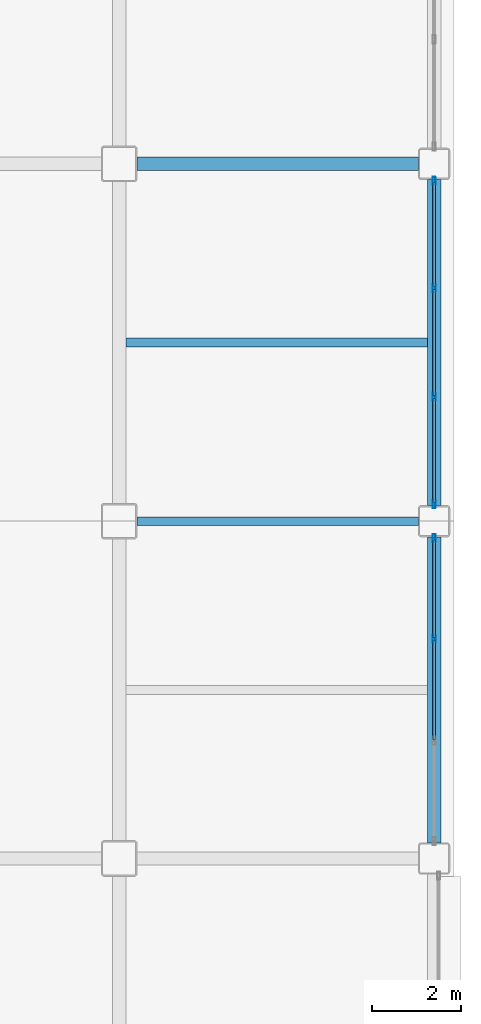
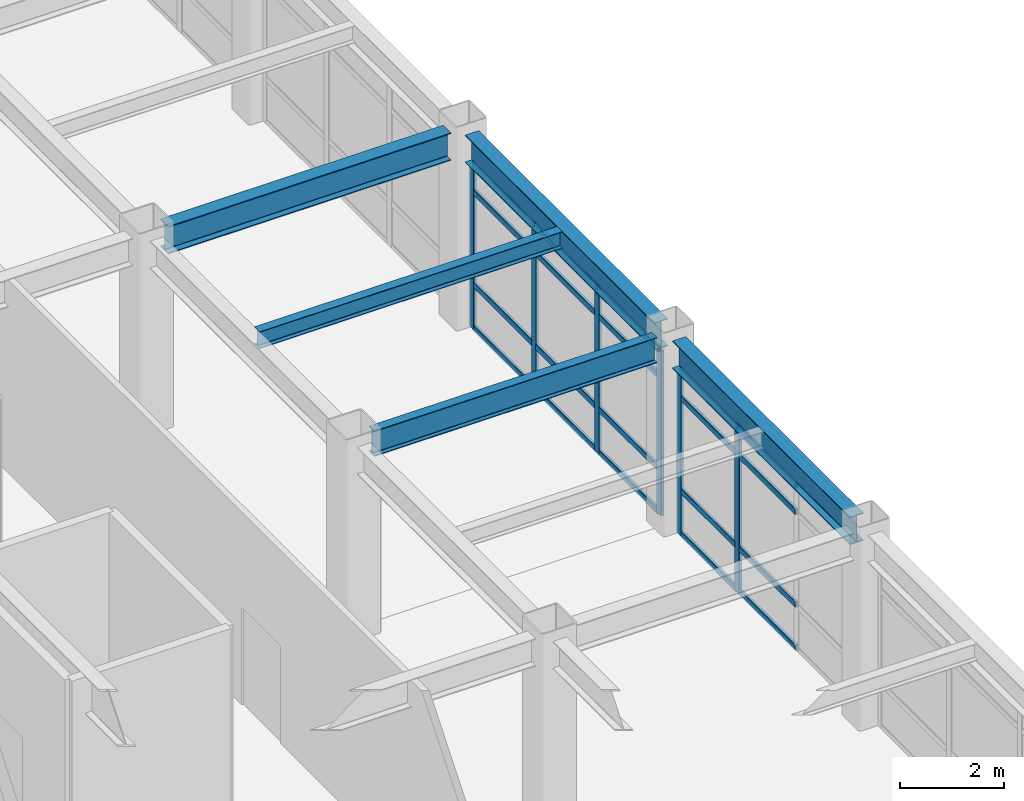
# One storey, part 96 of 154: 26 members, 5 beams, 2 elements without a shape of their own.
"""IFC4 building model written with IfcOpenShell, lengths in metres."""

from ifc_helpers import new_model, si_unit, direction, frame, origin, origin_2d, place, context, subcontext, project, spatial, hollow_rectangle, i_section, extrude, material, layer, layer_set, material_profile, profile_set, type_object, element, aggregate, save


model = new_model("IFC4")

# Units and contexts
model_context = context("Model", 3, precision=1e-05, world=origin(), true_north=direction((0.0, 1.0)))
body_context = subcontext(model_context, "Body", "Model", "MODEL_VIEW")
ifc_project = project(units=[si_unit("LENGTHUNIT", "METRE"), si_unit("AREAUNIT", "SQUARE_METRE"), si_unit("VOLUMEUNIT", "CUBIC_METRE"), si_unit("PLANEANGLEUNIT", "RADIAN"), si_unit("MASSUNIT", "GRAM", prefix="KILO")], contexts=[model_context])

# Site, building, storey
site_placement = place(None, origin())
site = spatial("IfcSite", under=ifc_project, at=site_placement, CompositionType="ELEMENT")
building_placement = place(site_placement, origin())
building = spatial("IfcBuilding", under=site, at=building_placement, Name="Kazehara Bluff Congress Hotel", CompositionType="ELEMENT")
storey_placement = place(building_placement, frame((0.0, 0.0, 10.199951171875)))
storey = spatial("IfcBuildingStorey", under=building, at=storey_placement, Name="L02", CompositionType="ELEMENT", Elevation=10.199951171875)

# Curtain wall, members
ifc_material_1 = material(Name="Anodised aluminium", Category="aluminium")
ifc_layer_1 = layer(ifc_material_1, 0.159912109375)
ifc_layer_set_1 = layer_set([ifc_layer_1], Name="Anodised aluminium")
curtain_wall_type_1 = type_object("IfcCurtainWallType", Name="TP-CW-83", PredefinedType="NOTDEFINED", material=ifc_layer_set_1)
curtain_wall_1_placement = place(storey_placement, origin())
curtain_wall_1 = element("IfcCurtainWall", 1, at=curtain_wall_1_placement, inside=storey, type_object=curtain_wall_type_1, Name="L02 curtain wall CW-83 CW-V5-L02-X16755-4125", PredefinedType="NOTDEFINED")
ifc_material_2 = material(Name="Anodised aluminium", Category="aluminium")
ifc_material_profile_1 = material_profile(ifc_material_2, hollow_rectangle(XDim=0.06494140625, YDim=0.179931640625, WallThickness=0.00390625, InnerFilletRadius=0.00390625, OuterFilletRadius=0.008056640625, at=origin_2d()))
ifc_profile_set_1 = profile_set([ifc_material_profile_1], Name="Anodised aluminium")
member_type_1 = type_object("IfcMemberType", Name="TP-CWM-02", PredefinedType="MULLION", material=ifc_profile_set_1)
member_1_placement = place(storey_placement, frame((167.550048828125, 45.816650390625, 0.0), z_axis=(0.0, 0.0, 1.0), x_axis=(-1.0, 0.0, 0.0)))
member_1 = element("IfcMember", 2, at=member_1_placement, type_object=member_type_1, Name="CW-83 mullion 3", PredefinedType="MULLION", context=body_context, shape_type="SweptSolid", body=[
    extrude(hollow_rectangle(XDim=0.06494140625, YDim=0.179931640625, WallThickness=0.00390625, InnerFilletRadius=0.00390625, OuterFilletRadius=0.008056640625, at=origin_2d()), origin(), (0.0, 0.0, 1.0), 3.885009765625),
])
member_2_placement = place(storey_placement, frame((167.550048828125, 48.0673828125, 0.0), z_axis=(0.0, 0.0, 1.0), x_axis=(-1.0, 0.0, 0.0)))
member_2 = element("IfcMember", 3, at=member_2_placement, type_object=member_type_1, Name="CW-83 mullion 4", PredefinedType="MULLION", context=body_context, shape_type="SweptSolid", body=[
    extrude(hollow_rectangle(XDim=0.06494140625, YDim=0.179931640625, WallThickness=0.00390625, InnerFilletRadius=0.00390625, OuterFilletRadius=0.008056640625, at=origin_2d()), origin(), (0.0, 0.0, 1.0), 3.885009765625),
])

ifc_material_3 = material(Name="Anodised aluminium", Category="aluminium")
ifc_layer_2 = layer(ifc_material_3, 0.159912109375)
ifc_layer_set_2 = layer_set([ifc_layer_2], Name="Anodised aluminium")
curtain_wall_type_2 = type_object("IfcCurtainWallType", Name="TP-CW-80", PredefinedType="NOTDEFINED", material=ifc_layer_set_2)
curtain_wall_2_placement = place(storey_placement, origin())
curtain_wall_2 = element("IfcCurtainWall", 4, at=curtain_wall_2_placement, inside=storey, type_object=curtain_wall_type_2, Name="L02 curtain wall CW-80 CW-V5-L02-X16755-4880", PredefinedType="NOTDEFINED")
member_3_placement = place(storey_placement, frame((167.550048828125, 48.83251953125, 0.0), z_axis=(0.0, 0.0, 1.0), x_axis=(-1.0, 0.0, 0.0)))
member_3 = element("IfcMember", 5, at=member_3_placement, type_object=member_type_1, Name="CW-80 mullion 1", PredefinedType="MULLION", context=body_context, shape_type="SweptSolid", body=[
    extrude(hollow_rectangle(XDim=0.06494140625, YDim=0.179931640625, WallThickness=0.00390625, InnerFilletRadius=0.00390625, OuterFilletRadius=0.008056640625, at=origin_2d()), origin(), (0.0, 0.0, 1.0), 3.885009765625),
])
member_4_placement = place(storey_placement, frame((167.550048828125, 51.2333984375, 0.0), z_axis=(0.0, 0.0, 1.0), x_axis=(-1.0, 0.0, 0.0)))
member_4 = element("IfcMember", 6, at=member_4_placement, type_object=member_type_1, Name="CW-80 mullion 2", PredefinedType="MULLION", context=body_context, shape_type="SweptSolid", body=[
    extrude(hollow_rectangle(XDim=0.06494140625, YDim=0.179931640625, WallThickness=0.00390625, InnerFilletRadius=0.00390625, OuterFilletRadius=0.008056640625, at=origin_2d()), origin(), (0.0, 0.0, 1.0), 3.885009765625),
])
member_5_placement = place(storey_placement, frame((167.550048828125, 53.666748046875, 0.0), z_axis=(0.0, 0.0, 1.0), x_axis=(-1.0, 0.0, 0.0)))
member_5 = element("IfcMember", 7, at=member_5_placement, type_object=member_type_1, Name="CW-80 mullion 3", PredefinedType="MULLION", context=body_context, shape_type="SweptSolid", body=[
    extrude(hollow_rectangle(XDim=0.06494140625, YDim=0.179931640625, WallThickness=0.00390625, InnerFilletRadius=0.00390625, OuterFilletRadius=0.008056640625, at=origin_2d()), origin(), (0.0, 0.0, 1.0), 3.885009765625),
])
member_6_placement = place(storey_placement, frame((167.550048828125, 56.0673828125, 0.0), z_axis=(0.0, 0.0, 1.0), x_axis=(-1.0, 0.0, 0.0)))
member_6 = element("IfcMember", 8, at=member_6_placement, type_object=member_type_1, Name="CW-80 mullion 4", PredefinedType="MULLION", context=body_context, shape_type="SweptSolid", body=[
    extrude(hollow_rectangle(XDim=0.06494140625, YDim=0.179931640625, WallThickness=0.00390625, InnerFilletRadius=0.00390625, OuterFilletRadius=0.008056640625, at=origin_2d()), origin(), (0.0, 0.0, 1.0), 3.885009765625),
])

# Member
ifc_material_4 = material(Name="Anodised aluminium", Category="aluminium")
ifc_material_profile_2 = material_profile(ifc_material_4, hollow_rectangle(XDim=0.06494140625, YDim=0.139892578125, WallThickness=0.00390625, InnerFilletRadius=0.00390625, OuterFilletRadius=0.008056640625, at=origin_2d()))
ifc_profile_set_2 = profile_set([ifc_material_profile_2], Name="Anodised aluminium")
member_type_2 = type_object("IfcMemberType", Name="TP-CWT-02", PredefinedType="USERDEFINED", material=ifc_profile_set_2)
member_7_placement = place(storey_placement, frame((167.550048828125, 43.56591796875, 0.032470703125), z_axis=(0.0, 1.0, 0.0), x_axis=(-1.0, 0.0, 0.0)))
member_7 = element("IfcMember", 9, at=member_7_placement, type_object=member_type_2, Name="CW-83 transom 2.1", ObjectType="TRANSOM", PredefinedType="USERDEFINED", context=body_context, shape_type="SweptSolid", body=[
    extrude(hollow_rectangle(XDim=0.06494140625, YDim=0.139892578125, WallThickness=0.00390625, InnerFilletRadius=0.00390625, OuterFilletRadius=0.008056640625, at=origin_2d()), origin(), (0.0, 0.0, 1.0), 2.21826171875),
])

member_8_placement = place(storey_placement, frame((167.550048828125, 43.56591796875, 1.050048828125), z_axis=(0.0, 1.0, 0.0), x_axis=(-1.0, 0.0, 0.0)))
member_8 = element("IfcMember", 10, at=member_8_placement, type_object=member_type_2, Name="CW-83 transom 2.2", ObjectType="TRANSOM", PredefinedType="USERDEFINED", context=body_context, shape_type="SweptSolid", body=[
    extrude(hollow_rectangle(XDim=0.06494140625, YDim=0.139892578125, WallThickness=0.00390625, InnerFilletRadius=0.00390625, OuterFilletRadius=0.008056640625, at=origin_2d()), origin(), (0.0, 0.0, 1.0), 2.21826171875),
])

member_9_placement = place(storey_placement, frame((167.550048828125, 43.56591796875, 3.235107421875), z_axis=(0.0, 1.0, 0.0), x_axis=(-1.0, 0.0, 0.0)))
member_9 = element("IfcMember", 11, at=member_9_placement, type_object=member_type_2, Name="CW-83 transom 2.3", ObjectType="TRANSOM", PredefinedType="USERDEFINED", context=body_context, shape_type="SweptSolid", body=[
    extrude(hollow_rectangle(XDim=0.06494140625, YDim=0.139892578125, WallThickness=0.00390625, InnerFilletRadius=0.00390625, OuterFilletRadius=0.008056640625, at=origin_2d()), origin(), (0.0, 0.0, 1.0), 2.21826171875),
])

member_10_placement = place(storey_placement, frame((167.550048828125, 43.56591796875, 3.8525390625), z_axis=(0.0, 1.0, 0.0), x_axis=(-1.0, 0.0, 0.0)))
member_10 = element("IfcMember", 12, at=member_10_placement, type_object=member_type_2, Name="CW-83 transom 2.4", ObjectType="TRANSOM", PredefinedType="USERDEFINED", context=body_context, shape_type="SweptSolid", body=[
    extrude(hollow_rectangle(XDim=0.06494140625, YDim=0.139892578125, WallThickness=0.00390625, InnerFilletRadius=0.00390625, OuterFilletRadius=0.008056640625, at=origin_2d()), origin(), (0.0, 0.0, 1.0), 2.21826171875),
])

member_11_placement = place(storey_placement, frame((167.550048828125, 45.84912109375, 0.032470703125), z_axis=(0.0, 1.0, 0.0), x_axis=(-1.0, 0.0, 0.0)))
member_11 = element("IfcMember", 13, at=member_11_placement, type_object=member_type_2, Name="CW-83 transom 3.1", ObjectType="TRANSOM", PredefinedType="USERDEFINED", context=body_context, shape_type="SweptSolid", body=[
    extrude(hollow_rectangle(XDim=0.06494140625, YDim=0.139892578125, WallThickness=0.00390625, InnerFilletRadius=0.00390625, OuterFilletRadius=0.008056640625, at=origin_2d()), origin(), (0.0, 0.0, 1.0), 2.185791015625),
])

member_12_placement = place(storey_placement, frame((167.550048828125, 45.84912109375, 1.050048828125), z_axis=(0.0, 1.0, 0.0), x_axis=(-1.0, 0.0, 0.0)))
member_12 = element("IfcMember", 14, at=member_12_placement, type_object=member_type_2, Name="CW-83 transom 3.2", ObjectType="TRANSOM", PredefinedType="USERDEFINED", context=body_context, shape_type="SweptSolid", body=[
    extrude(hollow_rectangle(XDim=0.06494140625, YDim=0.139892578125, WallThickness=0.00390625, InnerFilletRadius=0.00390625, OuterFilletRadius=0.008056640625, at=origin_2d()), origin(), (0.0, 0.0, 1.0), 2.185791015625),
])

member_13_placement = place(storey_placement, frame((167.550048828125, 45.84912109375, 3.235107421875), z_axis=(0.0, 1.0, 0.0), x_axis=(-1.0, 0.0, 0.0)))
member_13 = element("IfcMember", 15, at=member_13_placement, type_object=member_type_2, Name="CW-83 transom 3.3", ObjectType="TRANSOM", PredefinedType="USERDEFINED", context=body_context, shape_type="SweptSolid", body=[
    extrude(hollow_rectangle(XDim=0.06494140625, YDim=0.139892578125, WallThickness=0.00390625, InnerFilletRadius=0.00390625, OuterFilletRadius=0.008056640625, at=origin_2d()), origin(), (0.0, 0.0, 1.0), 2.185791015625),
])

member_14_placement = place(storey_placement, frame((167.550048828125, 45.84912109375, 3.8525390625), z_axis=(0.0, 1.0, 0.0), x_axis=(-1.0, 0.0, 0.0)))
member_14 = element("IfcMember", 16, at=member_14_placement, type_object=member_type_2, Name="CW-83 transom 3.4", ObjectType="TRANSOM", PredefinedType="USERDEFINED", context=body_context, shape_type="SweptSolid", body=[
    extrude(hollow_rectangle(XDim=0.06494140625, YDim=0.139892578125, WallThickness=0.00390625, InnerFilletRadius=0.00390625, OuterFilletRadius=0.008056640625, at=origin_2d()), origin(), (0.0, 0.0, 1.0), 2.185791015625),
])

aggregate(curtain_wall_1, [member_1, member_2, member_7, member_8, member_9, member_10, member_11, member_12, member_13, member_14])

member_15_placement = place(storey_placement, frame((167.550048828125, 48.864990234375, 0.032470703125), z_axis=(0.0, 1.0, 0.0), x_axis=(-1.0, 0.0, 0.0)))
member_15 = element("IfcMember", 17, at=member_15_placement, type_object=member_type_2, Name="CW-80 transom 1.1", ObjectType="TRANSOM", PredefinedType="USERDEFINED", context=body_context, shape_type="SweptSolid", body=[
    extrude(hollow_rectangle(XDim=0.06494140625, YDim=0.139892578125, WallThickness=0.00390625, InnerFilletRadius=0.00390625, OuterFilletRadius=0.008056640625, at=origin_2d()), origin(), (0.0, 0.0, 1.0), 2.3359375),
])

member_16_placement = place(storey_placement, frame((167.550048828125, 48.864990234375, 1.050048828125), z_axis=(0.0, 1.0, 0.0), x_axis=(-1.0, 0.0, 0.0)))
member_16 = element("IfcMember", 18, at=member_16_placement, type_object=member_type_2, Name="CW-80 transom 1.2", ObjectType="TRANSOM", PredefinedType="USERDEFINED", context=body_context, shape_type="SweptSolid", body=[
    extrude(hollow_rectangle(XDim=0.06494140625, YDim=0.139892578125, WallThickness=0.00390625, InnerFilletRadius=0.00390625, OuterFilletRadius=0.008056640625, at=origin_2d()), origin(), (0.0, 0.0, 1.0), 2.3359375),
])

member_17_placement = place(storey_placement, frame((167.550048828125, 48.864990234375, 3.235107421875), z_axis=(0.0, 1.0, 0.0), x_axis=(-1.0, 0.0, 0.0)))
member_17 = element("IfcMember", 19, at=member_17_placement, type_object=member_type_2, Name="CW-80 transom 1.3", ObjectType="TRANSOM", PredefinedType="USERDEFINED", context=body_context, shape_type="SweptSolid", body=[
    extrude(hollow_rectangle(XDim=0.06494140625, YDim=0.139892578125, WallThickness=0.00390625, InnerFilletRadius=0.00390625, OuterFilletRadius=0.008056640625, at=origin_2d()), origin(), (0.0, 0.0, 1.0), 2.3359375),
])

member_18_placement = place(storey_placement, frame((167.550048828125, 48.864990234375, 3.8525390625), z_axis=(0.0, 1.0, 0.0), x_axis=(-1.0, 0.0, 0.0)))
member_18 = element("IfcMember", 20, at=member_18_placement, type_object=member_type_2, Name="CW-80 transom 1.4", ObjectType="TRANSOM", PredefinedType="USERDEFINED", context=body_context, shape_type="SweptSolid", body=[
    extrude(hollow_rectangle(XDim=0.06494140625, YDim=0.139892578125, WallThickness=0.00390625, InnerFilletRadius=0.00390625, OuterFilletRadius=0.008056640625, at=origin_2d()), origin(), (0.0, 0.0, 1.0), 2.3359375),
])

member_19_placement = place(storey_placement, frame((167.550048828125, 51.265869140625, 0.032470703125), z_axis=(0.0, 1.0, 0.0), x_axis=(-1.0, 0.0, 0.0)))
member_19 = element("IfcMember", 21, at=member_19_placement, type_object=member_type_2, Name="CW-80 transom 2.1", ObjectType="TRANSOM", PredefinedType="USERDEFINED", context=body_context, shape_type="SweptSolid", body=[
    extrude(hollow_rectangle(XDim=0.06494140625, YDim=0.139892578125, WallThickness=0.00390625, InnerFilletRadius=0.00390625, OuterFilletRadius=0.008056640625, at=origin_2d()), origin(), (0.0, 0.0, 1.0), 2.368408203125),
])

member_20_placement = place(storey_placement, frame((167.550048828125, 51.265869140625, 1.050048828125), z_axis=(0.0, 1.0, 0.0), x_axis=(-1.0, 0.0, 0.0)))
member_20 = element("IfcMember", 22, at=member_20_placement, type_object=member_type_2, Name="CW-80 transom 2.2", ObjectType="TRANSOM", PredefinedType="USERDEFINED", context=body_context, shape_type="SweptSolid", body=[
    extrude(hollow_rectangle(XDim=0.06494140625, YDim=0.139892578125, WallThickness=0.00390625, InnerFilletRadius=0.00390625, OuterFilletRadius=0.008056640625, at=origin_2d()), origin(), (0.0, 0.0, 1.0), 2.368408203125),
])

member_21_placement = place(storey_placement, frame((167.550048828125, 51.265869140625, 3.235107421875), z_axis=(0.0, 1.0, 0.0), x_axis=(-1.0, 0.0, 0.0)))
member_21 = element("IfcMember", 23, at=member_21_placement, type_object=member_type_2, Name="CW-80 transom 2.3", ObjectType="TRANSOM", PredefinedType="USERDEFINED", context=body_context, shape_type="SweptSolid", body=[
    extrude(hollow_rectangle(XDim=0.06494140625, YDim=0.139892578125, WallThickness=0.00390625, InnerFilletRadius=0.00390625, OuterFilletRadius=0.008056640625, at=origin_2d()), origin(), (0.0, 0.0, 1.0), 2.368408203125),
])

member_22_placement = place(storey_placement, frame((167.550048828125, 51.265869140625, 3.8525390625), z_axis=(0.0, 1.0, 0.0), x_axis=(-1.0, 0.0, 0.0)))
member_22 = element("IfcMember", 24, at=member_22_placement, type_object=member_type_2, Name="CW-80 transom 2.4", ObjectType="TRANSOM", PredefinedType="USERDEFINED", context=body_context, shape_type="SweptSolid", body=[
    extrude(hollow_rectangle(XDim=0.06494140625, YDim=0.139892578125, WallThickness=0.00390625, InnerFilletRadius=0.00390625, OuterFilletRadius=0.008056640625, at=origin_2d()), origin(), (0.0, 0.0, 1.0), 2.368408203125),
])

member_23_placement = place(storey_placement, frame((167.550048828125, 53.69921875, 0.032470703125), z_axis=(0.0, 1.0, 0.0), x_axis=(-1.0, 0.0, 0.0)))
member_23 = element("IfcMember", 25, at=member_23_placement, type_object=member_type_2, Name="CW-80 transom 3.1", ObjectType="TRANSOM", PredefinedType="USERDEFINED", context=body_context, shape_type="SweptSolid", body=[
    extrude(hollow_rectangle(XDim=0.06494140625, YDim=0.139892578125, WallThickness=0.00390625, InnerFilletRadius=0.00390625, OuterFilletRadius=0.008056640625, at=origin_2d()), origin(), (0.0, 0.0, 1.0), 2.335693359375),
])

member_24_placement = place(storey_placement, frame((167.550048828125, 53.69921875, 1.050048828125), z_axis=(0.0, 1.0, 0.0), x_axis=(-1.0, 0.0, 0.0)))
member_24 = element("IfcMember", 26, at=member_24_placement, type_object=member_type_2, Name="CW-80 transom 3.2", ObjectType="TRANSOM", PredefinedType="USERDEFINED", context=body_context, shape_type="SweptSolid", body=[
    extrude(hollow_rectangle(XDim=0.06494140625, YDim=0.139892578125, WallThickness=0.00390625, InnerFilletRadius=0.00390625, OuterFilletRadius=0.008056640625, at=origin_2d()), origin(), (0.0, 0.0, 1.0), 2.335693359375),
])

member_25_placement = place(storey_placement, frame((167.550048828125, 53.69921875, 3.235107421875), z_axis=(0.0, 1.0, 0.0), x_axis=(-1.0, 0.0, 0.0)))
member_25 = element("IfcMember", 27, at=member_25_placement, type_object=member_type_2, Name="CW-80 transom 3.3", ObjectType="TRANSOM", PredefinedType="USERDEFINED", context=body_context, shape_type="SweptSolid", body=[
    extrude(hollow_rectangle(XDim=0.06494140625, YDim=0.139892578125, WallThickness=0.00390625, InnerFilletRadius=0.00390625, OuterFilletRadius=0.008056640625, at=origin_2d()), origin(), (0.0, 0.0, 1.0), 2.335693359375),
])

member_26_placement = place(storey_placement, frame((167.550048828125, 53.69921875, 3.8525390625), z_axis=(0.0, 1.0, 0.0), x_axis=(-1.0, 0.0, 0.0)))
member_26 = element("IfcMember", 28, at=member_26_placement, type_object=member_type_2, Name="CW-80 transom 3.4", ObjectType="TRANSOM", PredefinedType="USERDEFINED", context=body_context, shape_type="SweptSolid", body=[
    extrude(hollow_rectangle(XDim=0.06494140625, YDim=0.139892578125, WallThickness=0.00390625, InnerFilletRadius=0.00390625, OuterFilletRadius=0.008056640625, at=origin_2d()), origin(), (0.0, 0.0, 1.0), 2.335693359375),
])

aggregate(curtain_wall_2, [member_3, member_4, member_5, member_6, member_15, member_16, member_17, member_18, member_19, member_20, member_21, member_22, member_23, member_24, member_25, member_26])

# Beams
ifc_material_5 = material(Name="Steel SN490B", Category="steel")
ifc_material_profile_3 = material_profile(ifc_material_5, i_section(OverallWidth=0.300048828125, OverallDepth=0.64990234375, WebThickness=0.011962890625, FlangeThickness=0.02001953125, FilletRadius=0.012939453125, at=origin_2d()))
ifc_profile_set_3 = profile_set([ifc_material_profile_3], Name="Steel SN490B")
beam_type_1 = type_object("IfcBeamType", Name="TP-G-03", PredefinedType="BEAM", material=ifc_profile_set_3)
beam_1_placement = place(storey_placement, frame((167.550048828125, 41.25, 4.235107421875), z_axis=(0.0, 1.0, 0.0), x_axis=(-1.0, 0.0, 0.0)))
element("IfcBeam", 29, at=beam_1_placement, inside=storey, type_object=beam_type_1, Name="L02 girder G-03 173", PredefinedType="BEAM", context=body_context, shape_type="SweptSolid", body=[
    extrude(i_section(OverallWidth=0.300048828125, OverallDepth=0.64990234375, WebThickness=0.011962890625, FlangeThickness=0.02001953125, FilletRadius=0.012939453125, at=origin_2d()), origin(), (0.0, 0.0, 1.0), 6.85009765625),
])
beam_2_placement = place(storey_placement, frame((167.550048828125, 48.800048828125, 4.235107421875), z_axis=(0.0, 1.0, 0.0), x_axis=(-1.0, 0.0, 0.0)))
element("IfcBeam", 30, at=beam_2_placement, inside=storey, type_object=beam_type_1, Name="L02 girder G-03 174", PredefinedType="BEAM", context=body_context, shape_type="SweptSolid", body=[
    extrude(i_section(OverallWidth=0.300048828125, OverallDepth=0.64990234375, WebThickness=0.011962890625, FlangeThickness=0.02001953125, FilletRadius=0.012939453125, at=origin_2d()), origin(), (0.0, 0.0, 1.0), 7.300048828125),
])
beam_3_placement = place(storey_placement, frame((160.89990234375, 56.449951171875, 4.235107421875), z_axis=(1.0, 0.0, 0.0), x_axis=(0.0, 1.0, 0.0)))
element("IfcBeam", 31, at=beam_3_placement, inside=storey, type_object=beam_type_1, Name="L02 girder G-03 211", PredefinedType="BEAM", context=body_context, shape_type="SweptSolid", body=[
    extrude(i_section(OverallWidth=0.300048828125, OverallDepth=0.64990234375, WebThickness=0.011962890625, FlangeThickness=0.02001953125, FilletRadius=0.012939453125, at=origin_2d()), origin(), (0.0, 0.0, 1.0), 6.300048828125),
])
ifc_material_6 = material(Name="Steel SN400B", Category="steel")
ifc_material_profile_4 = material_profile(ifc_material_6, i_section(OverallWidth=0.199951171875, OverallDepth=0.39990234375, WebThickness=0.008056640625, FlangeThickness=0.012939453125, FilletRadius=0.012939453125, at=origin_2d()))
ifc_profile_set_4 = profile_set([ifc_material_profile_4], Name="Steel SN400B")
beam_type_2 = type_object("IfcBeamType", Name="TP-J-03", PredefinedType="JOIST", material=ifc_profile_set_4)
beam_4_placement = place(storey_placement, frame((160.64990234375, 52.449951171875, 4.360107421875), z_axis=(1.0, 0.0, 0.0), x_axis=(0.0, 1.0, 0.0)))
element("IfcBeam", 32, at=beam_4_placement, inside=storey, type_object=beam_type_2, Name="L02 secondary joist J-03 48", PredefinedType="JOIST", context=body_context, shape_type="SweptSolid", body=[
    extrude(i_section(OverallWidth=0.199951171875, OverallDepth=0.39990234375, WebThickness=0.008056640625, FlangeThickness=0.012939453125, FilletRadius=0.012939453125, at=origin_2d()), origin(), (0.0, 0.0, 1.0), 6.75),
])
ifc_material_7 = material(Name="Steel SN490B", Category="steel")
ifc_material_profile_5 = material_profile(ifc_material_7, i_section(OverallWidth=0.199951171875, OverallDepth=0.60009765625, WebThickness=0.010986328125, FlangeThickness=0.01708984375, FilletRadius=0.012939453125, at=origin_2d()))
ifc_profile_set_5 = profile_set([ifc_material_profile_5], Name="Steel SN490B")
beam_type_3 = type_object("IfcBeamType", Name="TP-SP-02", PredefinedType="SPANDREL", material=ifc_profile_set_5)
beam_5_placement = place(storey_placement, frame((160.89990234375, 48.449951171875, 4.260009765625), z_axis=(1.0, 0.0, 0.0), x_axis=(0.0, 1.0, 0.0)))
element("IfcBeam", 33, at=beam_5_placement, inside=storey, type_object=beam_type_3, Name="L02 girder SP-02 208", PredefinedType="SPANDREL", context=body_context, shape_type="SweptSolid", body=[
    extrude(i_section(OverallWidth=0.199951171875, OverallDepth=0.60009765625, WebThickness=0.010986328125, FlangeThickness=0.01708984375, FilletRadius=0.012939453125, at=origin_2d()), origin(), (0.0, 0.0, 1.0), 6.300048828125),
])

save(model, "model.ifc")
